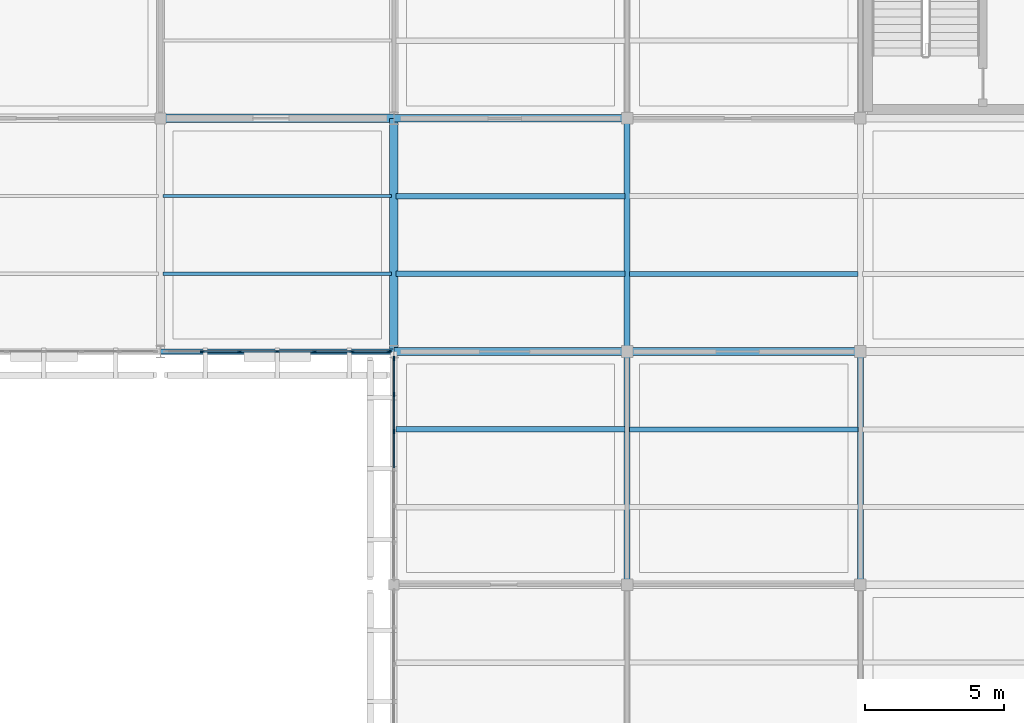
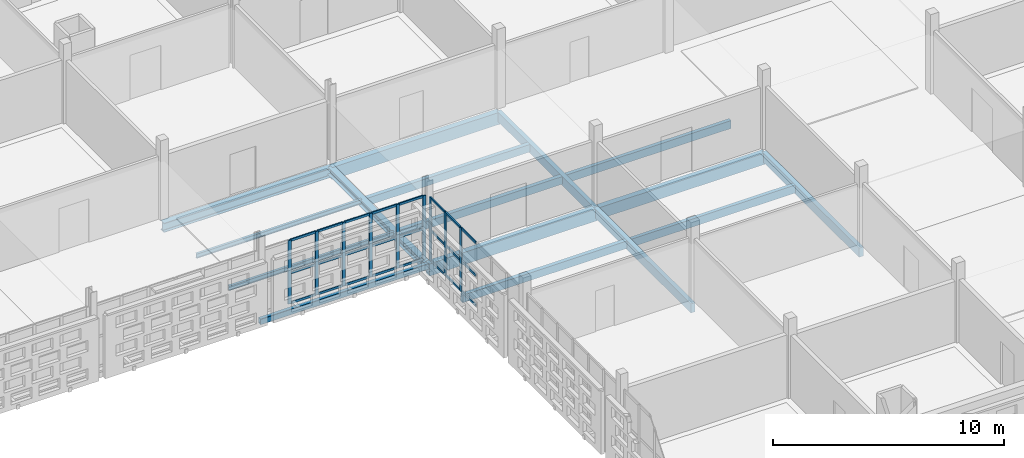
# One storey, part 68 of 166: 33 members, 16 beams, 2 elements without a shape of their own.
"""IFC4 building model written with IfcOpenShell, lengths in metres."""

from ifc_helpers import new_model, si_unit, direction, frame, origin, origin_2d, place, context, subcontext, project, spatial, rectangle, hollow_rectangle, i_section, extrude, material, layer, layer_set, material_profile, profile_set, type_object, element, aggregate, save


model = new_model("IFC4")

# Units and contexts
model_context = context("Model", 3, precision=1e-05, world=origin(), true_north=direction((0.0, 1.0)))
body_context = subcontext(model_context, "Body", "Model", "MODEL_VIEW")
ifc_project = project(units=[si_unit("LENGTHUNIT", "METRE"), si_unit("AREAUNIT", "SQUARE_METRE"), si_unit("VOLUMEUNIT", "CUBIC_METRE"), si_unit("PLANEANGLEUNIT", "RADIAN"), si_unit("MASSUNIT", "GRAM", prefix="KILO")], contexts=[model_context])

# Site, building, storey
site_placement = place(None, origin())
site = spatial("IfcSite", under=ifc_project, at=site_placement, CompositionType="ELEMENT")
building_placement = place(site_placement, origin())
building = spatial("IfcBuilding", under=site, at=building_placement, Name="Varnapada Polytechnic", CompositionType="ELEMENT")
storey_placement = place(building_placement, frame((0.0, 0.0, 9.60009765625)))
storey = spatial("IfcBuildingStorey", under=building, at=storey_placement, Name="L02", CompositionType="ELEMENT", Elevation=9.60009765625)

# Beams
ifc_material_1 = material(Name="Glulam GL32h", Category="wood")
ifc_material_profile_1 = material_profile(ifc_material_1, rectangle(XDim=0.280029296875, YDim=0.639892578125, at=origin_2d()), Name="GL 280x640")
ifc_profile_set_1 = profile_set([ifc_material_profile_1], Name="Glulam GL32h")
beam_type_1 = type_object("IfcBeamType", Name="Laboratory primary glulam girder GG-02 (GL 280x640)", PredefinedType="BEAM", material=ifc_profile_set_1)
for number, where, z_axis, x_axis, name in (
    (1, (134.39990234375, 84.0, -0.570068359375), (1.0, 0.0, 0.0), (0.0, 1.0, 0.0), "L02 beam X 17-18 at Y11"),
    (2, (134.39990234375, 92.39990234375, -0.570068359375), (1.0, 0.0, 0.0), (0.0, 1.0, 0.0), "L02 beam X 17-18 at Y12"),
):
    element("IfcBeam", number, at=place(storey_placement, frame(where, z_axis=z_axis, x_axis=x_axis)), inside=storey, type_object=beam_type_1, Name=name, PredefinedType="BEAM", context=body_context, shape_type="SweptSolid", body=[
        extrude(rectangle(XDim=0.280029296875, YDim=0.639892578125, at=origin_2d()), origin(), (0.0, 0.0, 1.0), 8.400146484375),
    ])
ifc_material_profile_2 = material_profile(ifc_material_1, rectangle(XDim=0.199951171875, YDim=0.39990234375, at=origin_2d()), Name="GL 200x400")
ifc_profile_set_2 = profile_set([ifc_material_profile_2], Name="Glulam GL32h")
beam_type_2 = type_object("IfcBeamType", Name="Library/laboratory glulam floor joist GJ-01 (GL 200x400)", PredefinedType="JOIST", material=ifc_profile_set_2)
for number, where, z_axis, x_axis, name in (
    (3, (134.47998046875, 81.199951171875, -0.4501953125), (1.0, 0.0, 0.0), (0.0, 1.0, 0.0), "L02 floor joist 17/10.2"),
    (4, (134.47998046875, 86.800048828125, -0.4501953125), (1.0, 0.0, 0.0), (0.0, 1.0, 0.0), "L02 floor joist 17/11.1"),
    (5, (134.47998046875, 89.60009765625, -0.4501953125), (1.0, 0.0, 0.0), (0.0, 1.0, 0.0), "L02 floor joist 17/11.2"),
):
    element("IfcBeam", number, at=place(storey_placement, frame(where, z_axis=z_axis, x_axis=x_axis)), inside=storey, type_object=beam_type_2, Name=name, PredefinedType="JOIST", context=body_context, shape_type="SweptSolid", body=[
        extrude(rectangle(XDim=0.199951171875, YDim=0.39990234375, at=origin_2d()), origin(), (0.0, 0.0, 1.0), 8.239990234375),
    ])

# Curtain wall, members
ifc_material_2 = material(Name="Double low-E laminated glass", Category="glass")
ifc_layer = layer(ifc_material_2, 0.159912109375)
ifc_layer_set = layer_set([ifc_layer], Name="Double low-E laminated glass")
curtain_wall_type = type_object("IfcCurtainWallType", Name="Curtain Wall CW-01", PredefinedType="NOTDEFINED", material=ifc_layer_set)
curtain_wall_1_placement = place(storey_placement, origin())
curtain_wall_1 = element("IfcCurtainWall", 6, at=curtain_wall_1_placement, inside=storey, type_object=curtain_wall_type, Name="L02 unitised curtain wall CW-01 (180)", PredefinedType="NOTDEFINED")
ifc_material_3 = material(Name="Anodised aluminium", Category="aluminium")
ifc_material_profile_3 = material_profile(ifc_material_3, rectangle(XDim=0.06005859375, YDim=0.159912109375, at=origin_2d()), Name="ALU M60x160")
ifc_profile_set_3 = profile_set([ifc_material_profile_3], Name="Anodised aluminium")
member_type_1 = type_object("IfcMemberType", Name="Mullion M-01", PredefinedType="MULLION", material=ifc_profile_set_3)
member_1_placement = place(storey_placement, frame((134.219970703125, 84.0, 0.0), z_axis=(0.0, 0.0, 1.0), x_axis=(0.0, -1.0, 0.0)))
member_1 = element("IfcMember", 7, at=member_1_placement, type_object=member_type_1, Name="CW-01 mullion 1", PredefinedType="MULLION", context=body_context, shape_type="SweptSolid", body=[
    extrude(rectangle(XDim=0.06005859375, YDim=0.159912109375, at=origin_2d()), origin(), (0.0, 0.0, 1.0), 3.35986328125),
])
member_2_placement = place(storey_placement, frame((132.89990234375, 84.0, 0.0), z_axis=(0.0, 0.0, 1.0), x_axis=(0.0, -1.0, 0.0)))
member_2 = element("IfcMember", 8, at=member_2_placement, type_object=member_type_1, Name="CW-01 mullion 2", PredefinedType="MULLION", context=body_context, shape_type="SweptSolid", body=[
    extrude(rectangle(XDim=0.06005859375, YDim=0.159912109375, at=origin_2d()), origin(), (0.0, 0.0, 1.0), 3.35986328125),
])
member_3_placement = place(storey_placement, frame((131.550048828125, 84.0, 0.0), z_axis=(0.0, 0.0, 1.0), x_axis=(0.0, -1.0, 0.0)))
member_3 = element("IfcMember", 9, at=member_3_placement, type_object=member_type_1, Name="CW-01 mullion 3", PredefinedType="MULLION", context=body_context, shape_type="SweptSolid", body=[
    extrude(rectangle(XDim=0.06005859375, YDim=0.159912109375, at=origin_2d()), origin(), (0.0, 0.0, 1.0), 3.35986328125),
])
member_4_placement = place(storey_placement, frame((130.199951171875, 84.0, 0.0), z_axis=(0.0, 0.0, 1.0), x_axis=(0.0, -1.0, 0.0)))
member_4 = element("IfcMember", 10, at=member_4_placement, type_object=member_type_1, Name="CW-01 mullion 4", PredefinedType="MULLION", context=body_context, shape_type="SweptSolid", body=[
    extrude(rectangle(XDim=0.06005859375, YDim=0.159912109375, at=origin_2d()), origin(), (0.0, 0.0, 1.0), 3.35986328125),
])
member_5_placement = place(storey_placement, frame((128.85009765625, 84.0, 0.0), z_axis=(0.0, 0.0, 1.0), x_axis=(0.0, -1.0, 0.0)))
member_5 = element("IfcMember", 11, at=member_5_placement, type_object=member_type_1, Name="CW-01 mullion 5", PredefinedType="MULLION", context=body_context, shape_type="SweptSolid", body=[
    extrude(rectangle(XDim=0.06005859375, YDim=0.159912109375, at=origin_2d()), origin(), (0.0, 0.0, 1.0), 3.35986328125),
])
member_6_placement = place(storey_placement, frame((127.5, 84.0, 0.0), z_axis=(0.0, 0.0, 1.0), x_axis=(0.0, -1.0, 0.0)))
member_6 = element("IfcMember", 12, at=member_6_placement, type_object=member_type_1, Name="CW-01 mullion 6", PredefinedType="MULLION", context=body_context, shape_type="SweptSolid", body=[
    extrude(rectangle(XDim=0.06005859375, YDim=0.159912109375, at=origin_2d()), origin(), (0.0, 0.0, 1.0), 3.35986328125),
])

curtain_wall_2_placement = place(storey_placement, origin())
curtain_wall_2 = element("IfcCurtainWall", 13, at=curtain_wall_2_placement, inside=storey, type_object=curtain_wall_type, Name="L02 unitised curtain wall CW-01 (191)", PredefinedType="NOTDEFINED")
member_7_placement = place(storey_placement, frame((134.39990234375, 81.11669921875, 0.0), z_axis=(0.0, 0.0, 1.0), x_axis=(-1.0, 0.0, 0.0)))
member_7 = element("IfcMember", 14, at=member_7_placement, type_object=member_type_1, Name="CW-01 mullion 5", PredefinedType="MULLION", context=body_context, shape_type="SweptSolid", body=[
    extrude(rectangle(XDim=0.06005859375, YDim=0.159912109375, at=origin_2d()), origin(), (0.0, 0.0, 1.0), 3.35986328125),
])
member_8_placement = place(storey_placement, frame((134.39990234375, 82.4482421875, 0.0), z_axis=(0.0, 0.0, 1.0), x_axis=(-1.0, 0.0, 0.0)))
member_8 = element("IfcMember", 15, at=member_8_placement, type_object=member_type_1, Name="CW-01 mullion 6", PredefinedType="MULLION", context=body_context, shape_type="SweptSolid", body=[
    extrude(rectangle(XDim=0.06005859375, YDim=0.159912109375, at=origin_2d()), origin(), (0.0, 0.0, 1.0), 3.35986328125),
])
member_9_placement = place(storey_placement, frame((134.39990234375, 83.75, 0.0), z_axis=(0.0, 0.0, 1.0), x_axis=(-1.0, 0.0, 0.0)))
member_9 = element("IfcMember", 16, at=member_9_placement, type_object=member_type_1, Name="CW-01 mullion 7", PredefinedType="MULLION", context=body_context, shape_type="SweptSolid", body=[
    extrude(rectangle(XDim=0.06005859375, YDim=0.159912109375, at=origin_2d()), origin(), (0.0, 0.0, 1.0), 3.35986328125),
])

# Beams
ifc_material_profile_4 = material_profile(ifc_material_1, rectangle(XDim=0.280029296875, YDim=0.60009765625, at=origin_2d()), Name="GL 280x600")
ifc_profile_set_4 = profile_set([ifc_material_profile_4], Name="Glulam GL32h")
beam_type_3 = type_object("IfcBeamType", Name="Reading hall glulam girder GG-08 (GL 280x600)", PredefinedType="BEAM", material=ifc_profile_set_4)
beam_1_placement = place(storey_placement, frame((142.800048828125, 84.0, -0.550048828125), z_axis=(1.0, 0.0, 0.0), x_axis=(0.0, 1.0, 0.0)))
element("IfcBeam", 17, at=beam_1_placement, inside=storey, type_object=beam_type_3, Name="L02 beam X 18-19 at Y11", PredefinedType="BEAM", context=body_context, shape_type="SweptSolid", body=[
    extrude(rectangle(XDim=0.280029296875, YDim=0.60009765625, at=origin_2d()), origin(), (0.0, 0.0, 1.0), 8.39990234375),
])
ifc_material_profile_5 = material_profile(ifc_material_1, rectangle(XDim=0.179931640625, YDim=0.419921875, at=origin_2d()), Name="GL 180x420")
ifc_profile_set_5 = profile_set([ifc_material_profile_5], Name="Glulam GL32h")
beam_type_4 = type_object("IfcBeamType", Name="Reading hall glulam joist GJ-04 (GL 180x420)", PredefinedType="JOIST", material=ifc_profile_set_5)
for number, where, z_axis, x_axis, name in (
    (18, (142.8798828125, 81.199951171875, -0.460205078125), (1.0, 0.0, 0.0), (0.0, 1.0, 0.0), "L02 floor joist 18/10.2"),
    (19, (142.8798828125, 86.800048828125, -0.460205078125), (1.0, 0.0, 0.0), (0.0, 1.0, 0.0), "L02 floor joist 18/11.1"),
):
    element("IfcBeam", number, at=place(storey_placement, frame(where, z_axis=z_axis, x_axis=x_axis)), inside=storey, type_object=beam_type_4, Name=name, PredefinedType="JOIST", context=body_context, shape_type="SweptSolid", body=[
        extrude(rectangle(XDim=0.179931640625, YDim=0.419921875, at=origin_2d()), origin(), (0.0, 0.0, 1.0), 8.240234375),
    ])
ifc_material_4 = material(Name="Steel S355", Category="steel")
ifc_material_profile_6 = material_profile(ifc_material_4, i_section(OverallWidth=0.300048828125, OverallDepth=0.389892578125, WebThickness=0.010986328125, FlangeThickness=0.01904296875, FilletRadius=0.027099609375, at=origin_2d()), Name="HEA 400")
ifc_profile_set_6 = profile_set([ifc_material_profile_6], Name="Steel S355")
beam_type_5 = type_object("IfcBeamType", Name="Steel roof primary girder SG-01 (HEA 400)", PredefinedType="BEAM", material=ifc_profile_set_6)
beam_2_placement = place(storey_placement, frame((134.39990234375, 84.0, -0.445068359375), z_axis=(0.0, 1.0, 0.0), x_axis=(-1.0, 0.0, 0.0)))
element("IfcBeam", 20, at=beam_2_placement, inside=storey, type_object=beam_type_5, Name="L02 beam Y 11-12 at X17", PredefinedType="BEAM", context=body_context, shape_type="SweptSolid", body=[
    extrude(i_section(OverallWidth=0.300048828125, OverallDepth=0.389892578125, WebThickness=0.010986328125, FlangeThickness=0.01904296875, FilletRadius=0.027099609375, at=origin_2d()), origin(), (0.0, 0.0, 1.0), 8.39990234375),
])

# Member
ifc_material_profile_7 = material_profile(ifc_material_3, rectangle(XDim=0.06005859375, YDim=0.1201171875, at=origin_2d()), Name="ALU T60x120")
ifc_profile_set_7 = profile_set([ifc_material_profile_7], Name="Anodised aluminium")
member_type_2 = type_object("IfcMemberType", Name="Transom T-01", PredefinedType="USERDEFINED", material=ifc_profile_set_7)
member_10_placement = place(storey_placement, frame((134.18994140625, 84.0, 0.02978515625), z_axis=(-1.0, 0.0, 0.0), x_axis=(0.0, -1.0, 0.0)))
member_10 = element("IfcMember", 21, at=member_10_placement, type_object=member_type_2, Name="CW-01 transom 1.1", ObjectType="TRANSOM", PredefinedType="USERDEFINED", context=body_context, shape_type="SweptSolid", body=[
    extrude(rectangle(XDim=0.06005859375, YDim=0.1201171875, at=origin_2d()), origin(), (0.0, 0.0, 1.0), 1.260009765625),
])

member_11_placement = place(storey_placement, frame((134.18994140625, 84.0, 1.61279296875), z_axis=(-1.0, 0.0, 0.0), x_axis=(0.0, -1.0, 0.0)))
member_11 = element("IfcMember", 22, at=member_11_placement, type_object=member_type_2, Name="CW-01 transom 1.2", ObjectType="TRANSOM", PredefinedType="USERDEFINED", context=body_context, shape_type="SweptSolid", body=[
    extrude(rectangle(XDim=0.06005859375, YDim=0.1201171875, at=origin_2d()), origin(), (0.0, 0.0, 1.0), 1.260009765625),
])

member_12_placement = place(storey_placement, frame((134.18994140625, 84.0, 3.329833984375), z_axis=(-1.0, 0.0, 0.0), x_axis=(0.0, -1.0, 0.0)))
member_12 = element("IfcMember", 23, at=member_12_placement, type_object=member_type_2, Name="CW-01 transom 1.3", ObjectType="TRANSOM", PredefinedType="USERDEFINED", context=body_context, shape_type="SweptSolid", body=[
    extrude(rectangle(XDim=0.06005859375, YDim=0.1201171875, at=origin_2d()), origin(), (0.0, 0.0, 1.0), 1.260009765625),
])

member_13_placement = place(storey_placement, frame((132.8701171875, 84.0, 0.02978515625), z_axis=(-1.0, 0.0, 0.0), x_axis=(0.0, -1.0, 0.0)))
member_13 = element("IfcMember", 24, at=member_13_placement, type_object=member_type_2, Name="CW-01 transom 2.1", ObjectType="TRANSOM", PredefinedType="USERDEFINED", context=body_context, shape_type="SweptSolid", body=[
    extrude(rectangle(XDim=0.06005859375, YDim=0.1201171875, at=origin_2d()), origin(), (0.0, 0.0, 1.0), 1.2900390625),
])

member_14_placement = place(storey_placement, frame((132.8701171875, 84.0, 1.61279296875), z_axis=(-1.0, 0.0, 0.0), x_axis=(0.0, -1.0, 0.0)))
member_14 = element("IfcMember", 25, at=member_14_placement, type_object=member_type_2, Name="CW-01 transom 2.2", ObjectType="TRANSOM", PredefinedType="USERDEFINED", context=body_context, shape_type="SweptSolid", body=[
    extrude(rectangle(XDim=0.06005859375, YDim=0.1201171875, at=origin_2d()), origin(), (0.0, 0.0, 1.0), 1.2900390625),
])

member_15_placement = place(storey_placement, frame((132.8701171875, 84.0, 3.329833984375), z_axis=(-1.0, 0.0, 0.0), x_axis=(0.0, -1.0, 0.0)))
member_15 = element("IfcMember", 26, at=member_15_placement, type_object=member_type_2, Name="CW-01 transom 2.3", ObjectType="TRANSOM", PredefinedType="USERDEFINED", context=body_context, shape_type="SweptSolid", body=[
    extrude(rectangle(XDim=0.06005859375, YDim=0.1201171875, at=origin_2d()), origin(), (0.0, 0.0, 1.0), 1.2900390625),
])

member_16_placement = place(storey_placement, frame((131.52001953125, 84.0, 0.02978515625), z_axis=(-1.0, 0.0, 0.0), x_axis=(0.0, -1.0, 0.0)))
member_16 = element("IfcMember", 27, at=member_16_placement, type_object=member_type_2, Name="CW-01 transom 3.1", ObjectType="TRANSOM", PredefinedType="USERDEFINED", context=body_context, shape_type="SweptSolid", body=[
    extrude(rectangle(XDim=0.06005859375, YDim=0.1201171875, at=origin_2d()), origin(), (0.0, 0.0, 1.0), 1.2900390625),
])

member_17_placement = place(storey_placement, frame((131.52001953125, 84.0, 1.61279296875), z_axis=(-1.0, 0.0, 0.0), x_axis=(0.0, -1.0, 0.0)))
member_17 = element("IfcMember", 28, at=member_17_placement, type_object=member_type_2, Name="CW-01 transom 3.2", ObjectType="TRANSOM", PredefinedType="USERDEFINED", context=body_context, shape_type="SweptSolid", body=[
    extrude(rectangle(XDim=0.06005859375, YDim=0.1201171875, at=origin_2d()), origin(), (0.0, 0.0, 1.0), 1.2900390625),
])

member_18_placement = place(storey_placement, frame((131.52001953125, 84.0, 3.329833984375), z_axis=(-1.0, 0.0, 0.0), x_axis=(0.0, -1.0, 0.0)))
member_18 = element("IfcMember", 29, at=member_18_placement, type_object=member_type_2, Name="CW-01 transom 3.3", ObjectType="TRANSOM", PredefinedType="USERDEFINED", context=body_context, shape_type="SweptSolid", body=[
    extrude(rectangle(XDim=0.06005859375, YDim=0.1201171875, at=origin_2d()), origin(), (0.0, 0.0, 1.0), 1.2900390625),
])

member_19_placement = place(storey_placement, frame((130.169921875, 84.0, 0.02978515625), z_axis=(-1.0, 0.0, 0.0), x_axis=(0.0, -1.0, 0.0)))
member_19 = element("IfcMember", 30, at=member_19_placement, type_object=member_type_2, Name="CW-01 transom 4.1", ObjectType="TRANSOM", PredefinedType="USERDEFINED", context=body_context, shape_type="SweptSolid", body=[
    extrude(rectangle(XDim=0.06005859375, YDim=0.1201171875, at=origin_2d()), origin(), (0.0, 0.0, 1.0), 1.2900390625),
])

member_20_placement = place(storey_placement, frame((130.169921875, 84.0, 1.61279296875), z_axis=(-1.0, 0.0, 0.0), x_axis=(0.0, -1.0, 0.0)))
member_20 = element("IfcMember", 31, at=member_20_placement, type_object=member_type_2, Name="CW-01 transom 4.2", ObjectType="TRANSOM", PredefinedType="USERDEFINED", context=body_context, shape_type="SweptSolid", body=[
    extrude(rectangle(XDim=0.06005859375, YDim=0.1201171875, at=origin_2d()), origin(), (0.0, 0.0, 1.0), 1.2900390625),
])

member_21_placement = place(storey_placement, frame((130.169921875, 84.0, 3.329833984375), z_axis=(-1.0, 0.0, 0.0), x_axis=(0.0, -1.0, 0.0)))
member_21 = element("IfcMember", 32, at=member_21_placement, type_object=member_type_2, Name="CW-01 transom 4.3", ObjectType="TRANSOM", PredefinedType="USERDEFINED", context=body_context, shape_type="SweptSolid", body=[
    extrude(rectangle(XDim=0.06005859375, YDim=0.1201171875, at=origin_2d()), origin(), (0.0, 0.0, 1.0), 1.2900390625),
])

member_22_placement = place(storey_placement, frame((128.820068359375, 84.0, 0.02978515625), z_axis=(-1.0, 0.0, 0.0), x_axis=(0.0, -1.0, 0.0)))
member_22 = element("IfcMember", 33, at=member_22_placement, type_object=member_type_2, Name="CW-01 transom 5.1", ObjectType="TRANSOM", PredefinedType="USERDEFINED", context=body_context, shape_type="SweptSolid", body=[
    extrude(rectangle(XDim=0.06005859375, YDim=0.1201171875, at=origin_2d()), origin(), (0.0, 0.0, 1.0), 1.2900390625),
])

member_23_placement = place(storey_placement, frame((128.820068359375, 84.0, 1.61279296875), z_axis=(-1.0, 0.0, 0.0), x_axis=(0.0, -1.0, 0.0)))
member_23 = element("IfcMember", 34, at=member_23_placement, type_object=member_type_2, Name="CW-01 transom 5.2", ObjectType="TRANSOM", PredefinedType="USERDEFINED", context=body_context, shape_type="SweptSolid", body=[
    extrude(rectangle(XDim=0.06005859375, YDim=0.1201171875, at=origin_2d()), origin(), (0.0, 0.0, 1.0), 1.2900390625),
])

member_24_placement = place(storey_placement, frame((128.820068359375, 84.0, 3.329833984375), z_axis=(-1.0, 0.0, 0.0), x_axis=(0.0, -1.0, 0.0)))
member_24 = element("IfcMember", 35, at=member_24_placement, type_object=member_type_2, Name="CW-01 transom 5.3", ObjectType="TRANSOM", PredefinedType="USERDEFINED", context=body_context, shape_type="SweptSolid", body=[
    extrude(rectangle(XDim=0.06005859375, YDim=0.1201171875, at=origin_2d()), origin(), (0.0, 0.0, 1.0), 1.2900390625),
])

aggregate(curtain_wall_1, [member_1, member_2, member_3, member_4, member_5, member_6, member_10, member_11, member_12, member_13, member_14, member_15, member_16, member_17, member_18, member_19, member_20, member_21, member_22, member_23, member_24])

member_25_placement = place(storey_placement, frame((134.39990234375, 79.81494140625, 0.02978515625), z_axis=(0.0, 1.0, 0.0), x_axis=(-1.0, 0.0, 0.0)))
member_25 = element("IfcMember", 36, at=member_25_placement, type_object=member_type_2, Name="CW-01 transom 4.1", ObjectType="TRANSOM", PredefinedType="USERDEFINED", context=body_context, shape_type="SweptSolid", body=[
    extrude(rectangle(XDim=0.06005859375, YDim=0.1201171875, at=origin_2d()), origin(), (0.0, 0.0, 1.0), 1.271728515625),
])

member_26_placement = place(storey_placement, frame((134.39990234375, 79.81494140625, 1.61279296875), z_axis=(0.0, 1.0, 0.0), x_axis=(-1.0, 0.0, 0.0)))
member_26 = element("IfcMember", 37, at=member_26_placement, type_object=member_type_2, Name="CW-01 transom 4.2", ObjectType="TRANSOM", PredefinedType="USERDEFINED", context=body_context, shape_type="SweptSolid", body=[
    extrude(rectangle(XDim=0.06005859375, YDim=0.1201171875, at=origin_2d()), origin(), (0.0, 0.0, 1.0), 1.271728515625),
])

member_27_placement = place(storey_placement, frame((134.39990234375, 79.81494140625, 3.329833984375), z_axis=(0.0, 1.0, 0.0), x_axis=(-1.0, 0.0, 0.0)))
member_27 = element("IfcMember", 38, at=member_27_placement, type_object=member_type_2, Name="CW-01 transom 4.3", ObjectType="TRANSOM", PredefinedType="USERDEFINED", context=body_context, shape_type="SweptSolid", body=[
    extrude(rectangle(XDim=0.06005859375, YDim=0.1201171875, at=origin_2d()), origin(), (0.0, 0.0, 1.0), 1.271728515625),
])

member_28_placement = place(storey_placement, frame((134.39990234375, 81.146728515625, 0.02978515625), z_axis=(0.0, 1.0, 0.0), x_axis=(-1.0, 0.0, 0.0)))
member_28 = element("IfcMember", 39, at=member_28_placement, type_object=member_type_2, Name="CW-01 transom 5.1", ObjectType="TRANSOM", PredefinedType="USERDEFINED", context=body_context, shape_type="SweptSolid", body=[
    extrude(rectangle(XDim=0.06005859375, YDim=0.1201171875, at=origin_2d()), origin(), (0.0, 0.0, 1.0), 1.271484375),
])

member_29_placement = place(storey_placement, frame((134.39990234375, 81.146728515625, 1.61279296875), z_axis=(0.0, 1.0, 0.0), x_axis=(-1.0, 0.0, 0.0)))
member_29 = element("IfcMember", 40, at=member_29_placement, type_object=member_type_2, Name="CW-01 transom 5.2", ObjectType="TRANSOM", PredefinedType="USERDEFINED", context=body_context, shape_type="SweptSolid", body=[
    extrude(rectangle(XDim=0.06005859375, YDim=0.1201171875, at=origin_2d()), origin(), (0.0, 0.0, 1.0), 1.271484375),
])

member_30_placement = place(storey_placement, frame((134.39990234375, 81.146728515625, 3.329833984375), z_axis=(0.0, 1.0, 0.0), x_axis=(-1.0, 0.0, 0.0)))
member_30 = element("IfcMember", 41, at=member_30_placement, type_object=member_type_2, Name="CW-01 transom 5.3", ObjectType="TRANSOM", PredefinedType="USERDEFINED", context=body_context, shape_type="SweptSolid", body=[
    extrude(rectangle(XDim=0.06005859375, YDim=0.1201171875, at=origin_2d()), origin(), (0.0, 0.0, 1.0), 1.271484375),
])

member_31_placement = place(storey_placement, frame((134.39990234375, 82.478271484375, 0.02978515625), z_axis=(0.0, 1.0, 0.0), x_axis=(-1.0, 0.0, 0.0)))
member_31 = element("IfcMember", 42, at=member_31_placement, type_object=member_type_2, Name="CW-01 transom 6.1", ObjectType="TRANSOM", PredefinedType="USERDEFINED", context=body_context, shape_type="SweptSolid", body=[
    extrude(rectangle(XDim=0.06005859375, YDim=0.1201171875, at=origin_2d()), origin(), (0.0, 0.0, 1.0), 1.24169921875),
])

member_32_placement = place(storey_placement, frame((134.39990234375, 82.478271484375, 1.61279296875), z_axis=(0.0, 1.0, 0.0), x_axis=(-1.0, 0.0, 0.0)))
member_32 = element("IfcMember", 43, at=member_32_placement, type_object=member_type_2, Name="CW-01 transom 6.2", ObjectType="TRANSOM", PredefinedType="USERDEFINED", context=body_context, shape_type="SweptSolid", body=[
    extrude(rectangle(XDim=0.06005859375, YDim=0.1201171875, at=origin_2d()), origin(), (0.0, 0.0, 1.0), 1.24169921875),
])

member_33_placement = place(storey_placement, frame((134.39990234375, 82.478271484375, 3.329833984375), z_axis=(0.0, 1.0, 0.0), x_axis=(-1.0, 0.0, 0.0)))
member_33 = element("IfcMember", 44, at=member_33_placement, type_object=member_type_2, Name="CW-01 transom 6.3", ObjectType="TRANSOM", PredefinedType="USERDEFINED", context=body_context, shape_type="SweptSolid", body=[
    extrude(rectangle(XDim=0.06005859375, YDim=0.1201171875, at=origin_2d()), origin(), (0.0, 0.0, 1.0), 1.24169921875),
])

aggregate(curtain_wall_2, [member_7, member_8, member_9, member_25, member_26, member_27, member_28, member_29, member_30, member_31, member_32, member_33])

# Beams
ifc_material_profile_8 = material_profile(ifc_material_1, rectangle(XDim=0.219970703125, YDim=0.47998046875, at=origin_2d()), Name="GL 220x480")
ifc_profile_set_8 = profile_set([ifc_material_profile_8], Name="Glulam GL32h")
beam_type_6 = type_object("IfcBeamType", Name="Upper floor glulam tie beam GB-11 (GL 220x480)", PredefinedType="BEAM", material=ifc_profile_set_8)
for number, where, z_axis, x_axis, name in (
    (45, (142.800048828125, 75.60009765625, -0.489990234375), (0.0, 1.0, 0.0), (-1.0, 0.0, 0.0), "L02 beam Y 10-11 at X18"),
    (46, (142.800048828125, 84.0, -0.489990234375), (0.0, 1.0, 0.0), (-1.0, 0.0, 0.0), "L02 beam Y 11-12 at X18"),
    (47, (151.199951171875, 75.60009765625, -0.489990234375), (0.0, 1.0, 0.0), (-1.0, 0.0, 0.0), "L02 beam Y 10-11 at X19"),
):
    element("IfcBeam", number, at=place(storey_placement, frame(where, z_axis=z_axis, x_axis=x_axis)), inside=storey, type_object=beam_type_6, Name=name, PredefinedType="BEAM", context=body_context, shape_type="SweptSolid", body=[
        extrude(rectangle(XDim=0.219970703125, YDim=0.47998046875, at=origin_2d()), origin(), (0.0, 0.0, 1.0), 8.39990234375),
    ])
ifc_material_profile_9 = material_profile(ifc_material_4, i_section(OverallWidth=0.1201171875, OverallDepth=0.239990234375, WebThickness=0.006103515625, FlangeThickness=0.009765625, FilletRadius=0.014892578125, at=origin_2d()), Name="IPE 240")
ifc_profile_set_9 = profile_set([ifc_material_profile_9], Name="Steel S355")
beam_type_7 = type_object("IfcBeamType", Name="Workshop gallery composite joist SJ-01 (IPE 240)", PredefinedType="JOIST", material=ifc_profile_set_9)
for number, where, z_axis, x_axis, name in (
    (48, (126.080078125, 86.800048828125, -0.3701171875), (1.0, 0.0, 0.0), (0.0, 1.0, 0.0), "L02 floor joist 16/11.1"),
    (49, (126.080078125, 89.60009765625, -0.3701171875), (1.0, 0.0, 0.0), (0.0, 1.0, 0.0), "L02 floor joist 16/11.2"),
):
    element("IfcBeam", number, at=place(storey_placement, frame(where, z_axis=z_axis, x_axis=x_axis)), inside=storey, type_object=beam_type_7, Name=name, PredefinedType="JOIST", context=body_context, shape_type="SweptSolid", body=[
        extrude(i_section(OverallWidth=0.1201171875, OverallDepth=0.239990234375, WebThickness=0.006103515625, FlangeThickness=0.009765625, FilletRadius=0.014892578125, at=origin_2d()), origin(), (0.0, 0.0, 1.0), 8.239990234375),
    ])
ifc_material_profile_10 = material_profile(ifc_material_4, i_section(OverallWidth=0.300048828125, OverallDepth=0.489990234375, WebThickness=0.011962890625, FlangeThickness=0.02294921875, FilletRadius=0.027099609375, at=origin_2d()), Name="HEA 500")
ifc_profile_set_10 = profile_set([ifc_material_profile_10], Name="Steel S355")
beam_type_8 = type_object("IfcBeamType", Name="Workshop gallery edge girder CR-02 (HEA 500)", PredefinedType="BEAM", material=ifc_profile_set_10)
beam_3_placement = place(storey_placement, frame((126.0, 92.39990234375, -0.4951171875), z_axis=(1.0, 0.0, 0.0), x_axis=(0.0, 1.0, 0.0)))
element("IfcBeam", 50, at=beam_3_placement, inside=storey, type_object=beam_type_8, Name="L02 beam X 16-17 at Y12", PredefinedType="BEAM", context=body_context, shape_type="SweptSolid", body=[
    extrude(i_section(OverallWidth=0.300048828125, OverallDepth=0.489990234375, WebThickness=0.011962890625, FlangeThickness=0.02294921875, FilletRadius=0.027099609375, at=origin_2d()), origin(), (0.0, 0.0, 1.0), 8.39990234375),
])
ifc_material_profile_11 = material_profile(ifc_material_4, hollow_rectangle(XDim=0.199951171875, YDim=0.300048828125, WallThickness=0.010009765625, InnerFilletRadius=0.010009765625, OuterFilletRadius=0.02001953125, at=origin_2d()), Name="RHS 300x200x10")
ifc_profile_set_11 = profile_set([ifc_material_profile_11], Name="Steel S355")
beam_type_9 = type_object("IfcBeamType", Name="Workshop steel spandrel tie SP-03 (RHS 300x200x10)", PredefinedType="SPANDREL", material=ifc_profile_set_11)
beam_4_placement = place(storey_placement, frame((126.0, 84.0, -0.400146484375), z_axis=(1.0, 0.0, 0.0), x_axis=(0.0, 1.0, 0.0)))
element("IfcBeam", 51, at=beam_4_placement, inside=storey, type_object=beam_type_9, Name="L02 beam X 16-17 at Y11", PredefinedType="SPANDREL", context=body_context, shape_type="SweptSolid", body=[
    extrude(hollow_rectangle(XDim=0.199951171875, YDim=0.300048828125, WallThickness=0.010009765625, InnerFilletRadius=0.010009765625, OuterFilletRadius=0.02001953125, at=origin_2d()), origin(), (0.0, 0.0, 1.0), 8.39990234375),
])

save(model, "model.ifc")
